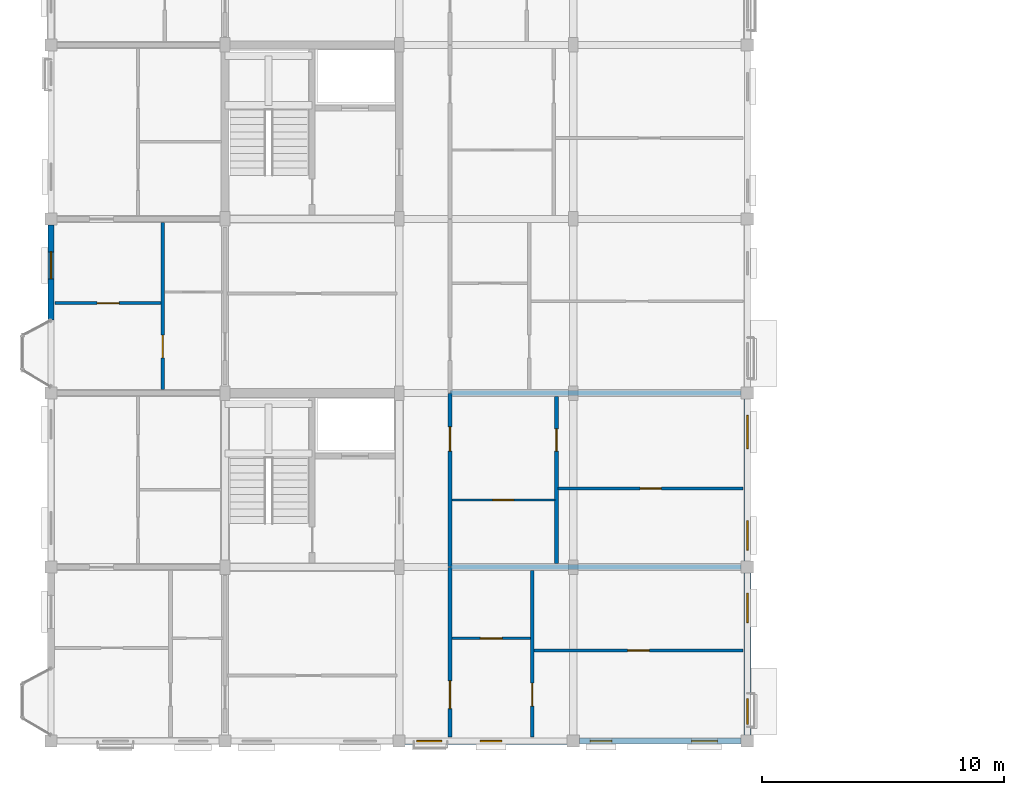
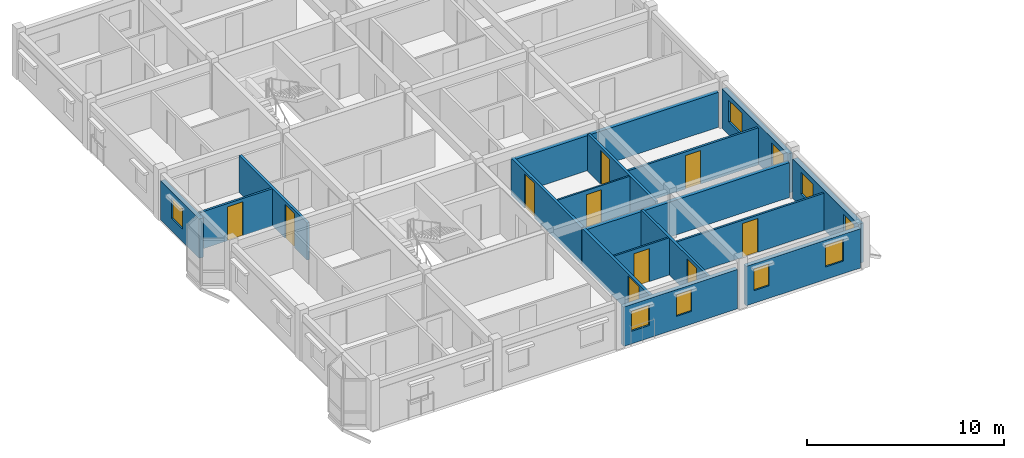
# One storey, part 17 of 38: 17 walls, 10 doors, 9 windows, 19 openings.
"""IFC4 building model written with IfcOpenShell, lengths in metres."""

import ifcopenshell
import ifcopenshell.guid

model = None  # the IFC model being written
_history = None  # IfcOwnerHistory: only IFC2X3 demands one
_inside = {}  # id of a spatial element -> (the spatial element, [elements in it])
_under = {}  # id of a project, library or spatial element -> (it, [spatial elements below it])
_declared = {}  # id of a project -> (the project, [libraries it declares])
_typed = {}  # id of a type object -> (the type object, [elements of that type])
_made_of = {}  # id of a material, layer set ... -> (it, [elements and type objects made of it])


def new_model(schema):
    """Start an empty IFC model of exactly this schema.

    Asked for "IFC4X3", IfcOpenShell would pick the latest addendum, in which some entities
    have other attributes; the version numbers below select the first issue.
    IFC2X3 requires an IfcOwnerHistory on every rooted entity: one is made here for all.
    """
    global model, _history
    if schema == "IFC4X3":
        model = ifcopenshell.file(schema_version=(4, 3, 0, 0))
    else:
        model = ifcopenshell.file(schema=schema)
    _inside.clear()
    _under.clear()
    _declared.clear()
    _typed.clear()
    _made_of.clear()
    _history = None
    if model.schema == "IFC2X3":
        org = make("IfcOrganization", Name="unknown")
        user = make(
            "IfcPersonAndOrganization",
            ThePerson=make("IfcPerson", FamilyName="unknown"),
            TheOrganization=org,
        )
        app = make(
            "IfcApplication",
            ApplicationDeveloper=org,
            Version="unknown",
            ApplicationFullName="unknown",
            ApplicationIdentifier="unknown",
        )
        _history = make(
            "IfcOwnerHistory",
            OwningUser=user,
            OwningApplication=app,
            ChangeAction="ADDED",
            CreationDate=0,
        )
    return model


def make(cls, **values):
    """One entity of the class cls with the attributes given. An attribute that is None is left unset."""
    return model.create_entity(
        cls, **{name: value for name, value in values.items() if value is not None}
    )


def rooted(cls, **values):
    """An entity with a GlobalId (a new one), such as an element, a storey or a relation."""
    return make(cls, GlobalId=ifcopenshell.guid.new(), OwnerHistory=_history, **values)


def si_unit(unit_type, name, prefix=None):
    """IfcSIUnit, for example si_unit("LENGTHUNIT", "METRE", prefix="MILLI")."""
    return make("IfcSIUnit", UnitType=unit_type, Prefix=prefix, Name=name)


def assignment(units):
    """IfcUnitAssignment: the units of a project."""
    return None if units is None else make("IfcUnitAssignment", Units=units)


def point(xyz):
    """IfcCartesianPoint."""
    return None if xyz is None else make("IfcCartesianPoint", Coordinates=xyz)


def direction(xyz):
    """IfcDirection."""
    return None if xyz is None else make("IfcDirection", DirectionRatios=xyz)


def frame(location, z_axis=None, x_axis=None):
    """IfcAxis2Placement3D, a coordinate frame: its origin and axes. An axis left out is left unset."""
    return make(
        "IfcAxis2Placement3D",
        Location=point(location),
        Axis=direction(z_axis),
        RefDirection=direction(x_axis),
    )


def frame_2d(location, x_axis=None):
    """IfcAxis2Placement2D, a coordinate frame in the plane: its origin and x axis."""
    return make(
        "IfcAxis2Placement2D", Location=point(location), RefDirection=direction(x_axis)
    )


def origin():
    """The frame at (0, 0, 0) with its axes left unset."""
    return frame((0.0, 0.0, 0.0))


def place(relative_to, where):
    """IfcLocalPlacement: puts the frame where relative to a parent placement (None: the world)."""
    return make(
        "IfcLocalPlacement", PlacementRelTo=relative_to, RelativePlacement=where
    )


def context(
    kind, dimensions, precision=None, world=None, true_north=None, identifier=None
):
    """IfcGeometricRepresentationContext, for example the 3D "Model" context."""
    return make(
        "IfcGeometricRepresentationContext",
        ContextIdentifier=identifier,
        ContextType=kind,
        CoordinateSpaceDimension=dimensions,
        Precision=precision,
        WorldCoordinateSystem=world,
        TrueNorth=true_north,
    )


def subcontext(parent, identifier, kind, view, scale=None):
    """IfcGeometricRepresentationSubContext, for example "Body" below "Model"."""
    return make(
        "IfcGeometricRepresentationSubContext",
        ContextIdentifier=identifier,
        ContextType=kind,
        ParentContext=parent,
        TargetScale=scale,
        TargetView=view,
    )


def project(units=None, contexts=None):
    """IfcProject with its units and contexts."""
    return rooted(
        "IfcProject",
        Name="project",
        RepresentationContexts=contexts,
        UnitsInContext=assignment(units),
    )


def spatial(cls, under=None, at=None, **own):
    """A site, building, storey or space (cls), placed at a placement, below another one or the project."""
    s = rooted(cls, ObjectPlacement=at, **own)
    if under is not None:
        _under.setdefault(under.id(), (under, []))[1].append(s)
    return s


def profile(cls, at=None, kind="AREA", **sizes):
    """A parametric profile (cls). Its sizes go by their IFC names, for example OverallWidth=200.0."""
    return make(cls, ProfileType=kind, Position=at, **sizes)


def rectangle(**sizes):
    """IfcRectangleProfileDef."""
    return profile("IfcRectangleProfileDef", **sizes)


def extrude(swept, where, along, depth):
    """IfcExtrudedAreaSolid: the profile swept, set in the frame where, extruded along a direction by depth."""
    return make(
        "IfcExtrudedAreaSolid",
        SweptArea=swept,
        Position=where,
        ExtrudedDirection=direction(along),
        Depth=depth,
    )


def shape(context_of_items, identifier, shape_type, items):
    """IfcShapeRepresentation: the items that make up one representation, for example the "Body"."""
    return make(
        "IfcShapeRepresentation",
        ContextOfItems=context_of_items,
        RepresentationIdentifier=identifier,
        RepresentationType=shape_type,
        Items=items,
    )


def material(Name=None, Category=None):
    """IfcMaterial."""
    return make("IfcMaterial", Name=Name, Category=Category)


def layer(
    of_material, thickness, ventilated=None, Name=None, Category=None, Priority=None
):
    """IfcMaterialLayer: one layer of a wall or slab, of a material (None: an air gap)."""
    return make(
        "IfcMaterialLayer",
        Material=of_material,
        LayerThickness=thickness,
        IsVentilated=ventilated,
        Name=Name,
        Category=Category,
        Priority=Priority,
    )


def layer_set(layers, Name=None):
    """IfcMaterialLayerSet."""
    return make("IfcMaterialLayerSet", MaterialLayers=layers, LayerSetName=Name)


def made_of(thing, what):
    """Note that an element or type object is made of a material, layer set ...; save() writes the relation."""
    if what is not None:
        _made_of.setdefault(what.id(), (what, []))[1].append(thing)
    return thing


def type_object(cls, material=None, **own):
    """A type object (cls), such as IfcWallType, which elements share."""
    return made_of(rooted(cls, **own), material)


def element(
    cls,
    number,
    at=None,
    inside=None,
    cuts=None,
    type_object=None,
    material=None,
    context=None,
    identifier="Body",
    shape_type=None,
    held_by="IfcProductDefinitionShape",
    body=None,
    shapes=None,
    **own,
):
    """One element of the class cls, such as IfcWall. Its Tag is "e" and its number.

    at: its placement. inside: the storey or other place that contains it. cuts: it is an
    opening in that element (IfcRelVoidsElement). A single representation is given by context,
    identifier, shape_type and body (its items); several are given by shapes. held_by: the class
    of the entity that holds the representations. save() writes the other relations.
    """
    e = rooted(cls, Tag="e%d" % number, ObjectPlacement=at, **own)
    if body is not None:
        shapes = [shape(context, identifier, shape_type, body)]
    if shapes is not None:
        e.Representation = make(held_by, Representations=shapes)
    if inside is not None:
        _inside.setdefault(inside.id(), (inside, []))[1].append(e)
    if cuts is not None:
        rooted(
            "IfcRelVoidsElement", RelatingBuildingElement=cuts, RelatedOpeningElement=e
        )
    if type_object is not None:
        _typed.setdefault(type_object.id(), (type_object, []))[1].append(e)
    return made_of(e, material)


def fill(opening, filler):
    """IfcRelFillsElement: the door or window that sits in an opening."""
    return rooted(
        "IfcRelFillsElement",
        RelatingOpeningElement=opening,
        RelatedBuildingElement=filler,
    )


def aggregate(whole, parts):
    """IfcRelAggregates: a whole, such as a stair, and the parts it consists of."""
    return rooted("IfcRelAggregates", RelatingObject=whole, RelatedObjects=parts)


def save(model, path):
    """Write the relations noted so far, then the file.

    IfcRelAggregates (storeys below a building ...), IfcRelContainedInSpatialStructure (elements
    in a storey), IfcRelDefinesByType, IfcRelAssociatesMaterial and IfcRelDeclares: one each for
    every whole, place, type object, material and project.
    """
    for whole, parts in _under.values():
        aggregate(whole, parts)
    for where, things in _inside.values():
        rooted(
            "IfcRelContainedInSpatialStructure",
            RelatedElements=things,
            RelatingStructure=where,
        )
    for kind, things in _typed.values():
        rooted("IfcRelDefinesByType", RelatedObjects=things, RelatingType=kind)
    for what, things in _made_of.values():
        rooted("IfcRelAssociatesMaterial", RelatedObjects=things, RelatingMaterial=what)
    for by, libraries in _declared.values():
        rooted("IfcRelDeclares", RelatingContext=by, RelatedDefinitions=libraries)
    model.write(path)


model = new_model("IFC4")

# Units and contexts
model_context = context("Model", 3, precision=1e-05, world=origin(), true_north=direction((0.0, 1.0)))
body_context = subcontext(model_context, "Body", "Model", "MODEL_VIEW")
ifc_project = project(units=[si_unit("LENGTHUNIT", "METRE"), si_unit("AREAUNIT", "SQUARE_METRE"), si_unit("VOLUMEUNIT", "CUBIC_METRE"), si_unit("PLANEANGLEUNIT", "RADIAN"), si_unit("MASSUNIT", "GRAM", prefix="KILO"), si_unit("THERMODYNAMICTEMPERATUREUNIT", "KELVIN"), si_unit("POWERUNIT", "WATT")], contexts=[model_context])

# Site, building, storey
site_placement = place(None, origin())
site = spatial("IfcSite", under=ifc_project, at=site_placement, CompositionType="ELEMENT")
building_placement = place(site_placement, origin())
building = spatial("IfcBuilding", under=site, at=building_placement, Name="Tavuni Mirador Residences", CompositionType="ELEMENT")
storey_placement = place(building_placement, frame((0.0, 0.0, 32.85009765625)))
storey = spatial("IfcBuildingStorey", under=building, at=storey_placement, Name="L10", CompositionType="ELEMENT", Elevation=32.85009765625)

# Wall, opening, door
ifc_material_1 = material(Name="Precast concrete C40/50", Category="concrete")
ifc_layer_1 = layer(ifc_material_1, 0.1650390625, Name="Precast concrete C40/50", Category="concrete")
ifc_layer_set_1 = layer_set([ifc_layer_1], Name="Precast concrete C40/50")
wall_type_1 = type_object("IfcWallType", Name="WT-CORR165", PredefinedType="PARTITIONING", material=ifc_layer_set_1)
wall_1_placement = place(storey_placement, frame((20.10009765625, 7.375, 0.0), z_axis=(0.0, 0.0, 1.0), x_axis=(0.0, 1.0, 0.0)))
wall_1 = element("IfcWall", 1, at=wall_1_placement, inside=storey, type_object=wall_type_1, Name="CORW-BLK-A-L10-0-00", PredefinedType="PARTITIONING", context=body_context, shape_type="SweptSolid", body=[
    extrude(rectangle(XDim=7.0048828125, YDim=0.1650390625, at=frame_2d((3.50244140625, 0.0))), origin(), (0.0, 0.0, 1.0), 2.304931640625),
])
opening_1_placement = place(wall_1_placement, frame((1.175048828125, 0.0, 0.0)))
opening_1 = element("IfcOpeningElement", 2, at=opening_1_placement, cuts=wall_1, Name="Opening D-20", PredefinedType="OPENING", context=body_context, shape_type="SweptSolid", body=[
    extrude(rectangle(XDim=1.139892578125, YDim=2.179931640625, at=frame_2d((0.56982421875, 1.08984375))), frame((0.0, 0.092529296875, 0.0), z_axis=(0.0, -1.0, 0.0), x_axis=(1.0, 0.0, 0.0)), (0.0, 0.0, 1.0), 0.18505859375),
])
ifc_material_2 = material(Name="Solid core iroko timber", Category="wood")
door_type_1 = type_object("IfcDoorType", Name="DT-FD60-1140", OperationType="NOTDEFINED", PredefinedType="DOOR", material=ifc_material_2)
door_1_placement = place(opening_1_placement, origin())
door_1 = element("IfcDoor", 3, at=door_1_placement, inside=storey, type_object=door_type_1, Name="DR-2477", OperationType="SINGLE_SWING_RIGHT", OverallHeight=2.179931640625, OverallWidth=1.139892578125, PredefinedType="DOOR", context=body_context, shape_type="SweptSolid", body=[
    extrude(rectangle(XDim=1.139892578125, YDim=2.179931640625, at=frame_2d((0.56982421875, 1.08984375))), frame((0.0, 0.02490234375, 0.0), z_axis=(0.0, -1.0, 0.0), x_axis=(1.0, 0.0, 0.0)), (0.0, 0.0, 1.0), 0.050048828125),
])
fill(opening_1, door_1)

wall_2_placement = place(storey_placement, frame((20.10009765625, 14.419921875, 0.0), z_axis=(0.0, 0.0, 1.0), x_axis=(0.0, 1.0, 0.0)))
wall_2 = element("IfcWall", 4, at=wall_2_placement, inside=storey, type_object=wall_type_1, Name="CORW-BLK-A-L10-0-01", PredefinedType="PARTITIONING", context=body_context, shape_type="SweptSolid", body=[
    extrude(rectangle(XDim=7.16015625, YDim=0.1650390625, at=frame_2d((3.580078125, 0.0))), origin(), (0.0, 0.0, 1.0), 2.304931640625),
])
opening_2_placement = place(wall_2_placement, frame((4.780029296875, 0.0, 0.0)))
opening_2 = element("IfcOpeningElement", 5, at=opening_2_placement, cuts=wall_2, Name="Opening D-03", PredefinedType="OPENING", context=body_context, shape_type="SweptSolid", body=[
    extrude(rectangle(XDim=1.0, YDim=2.14990234375, at=frame_2d((0.5, 1.074951171875))), frame((0.0, 0.092529296875, 0.0), z_axis=(0.0, -1.0, 0.0), x_axis=(1.0, 0.0, 0.0)), (0.0, 0.0, 1.0), 0.18505859375),
])
door_type_2 = type_object("IfcDoorType", Name="DT-FD60-1000", OperationType="NOTDEFINED", PredefinedType="DOOR", material=ifc_material_2)
door_2_placement = place(opening_2_placement, origin())
door_2 = element("IfcDoor", 6, at=door_2_placement, inside=storey, type_object=door_type_2, Name="DR-2478", OperationType="SINGLE_SWING_LEFT", OverallHeight=2.14990234375, OverallWidth=1.0, PredefinedType="DOOR", context=body_context, shape_type="SweptSolid", body=[
    extrude(rectangle(XDim=1.0, YDim=2.14990234375, at=frame_2d((0.5, 1.074951171875))), frame((0.0, 0.02490234375, 0.0), z_axis=(0.0, -1.0, 0.0), x_axis=(1.0, 0.0, 0.0)), (0.0, 0.0, 1.0), 0.050048828125),
])
fill(opening_2, door_2)

# Wall, openings, windows
ifc_material_3 = material(Name="Sgraffito lime-rendered precast concrete C40/50", Category="concrete")
ifc_layer_2 = layer(ifc_material_3, 0.2451171875, Name="Sgraffito lime-rendered precast concrete C40/50", Category="concrete")
ifc_layer_set_2 = layer_set([ifc_layer_2], Name="Sgraffito lime-rendered precast concrete C40/50")
wall_type_2 = type_object("IfcWallType", Name="WT-EXT-PC245", PredefinedType="SOLIDWALL", material=ifc_layer_set_2)
wall_3_placement = place(storey_placement, frame((25.449951171875, 7.199951171875, 0.0), z_axis=(0.0, 0.0, 1.0), x_axis=(1.0, 0.0, 0.0)))
wall_3 = element("IfcWall", 7, at=wall_3_placement, inside=storey, type_object=wall_type_2, Name="EW-BLK-A-L10-S03", PredefinedType="SOLIDWALL", context=body_context, shape_type="SweptSolid", body=[
    extrude(rectangle(XDim=6.699951171875, YDim=0.2451171875, at=frame_2d((3.35009765625, 0.0))), origin(), (0.0, 0.0, 1.0), 2.43994140625),
])
opening_3_placement = place(wall_3_placement, frame((0.449951171875, 0.0, 0.780029296875)))
opening_3 = element("IfcOpeningElement", 8, at=opening_3_placement, cuts=wall_3, Name="Opening WN-17", PredefinedType="OPENING", context=body_context, shape_type="SweptSolid", body=[
    extrude(rectangle(XDim=0.89990234375, YDim=1.360107421875, at=frame_2d((0.449951171875, 0.68017578125))), frame((0.0, 0.132568359375, 0.0), z_axis=(0.0, -1.0, 0.0), x_axis=(1.0, 0.0, 0.0)), (0.0, 0.0, 1.0), 0.26513671875),
])
opening_4_placement = place(wall_3_placement, frame((4.64990234375, 0.0, 0.780029296875)))
opening_4 = element("IfcOpeningElement", 9, at=opening_4_placement, cuts=wall_3, Name="Opening WN-19", PredefinedType="OPENING", context=body_context, shape_type="SweptSolid", body=[
    extrude(rectangle(XDim=1.06005859375, YDim=1.360107421875, at=frame_2d((0.530029296875, 0.68017578125))), frame((0.0, 0.132568359375, 0.0), z_axis=(0.0, -1.0, 0.0), x_axis=(1.0, 0.0, 0.0)), (0.0, 0.0, 1.0), 0.26513671875),
])
ifc_material_4 = material(Name="Laminated solar-control glass", Category="glass")
window_type_1 = type_object("IfcWindowType", Name="WNT-17", PartitioningType="SINGLE_PANEL", PredefinedType="WINDOW", material=ifc_material_4)
window_1_placement = place(opening_3_placement, origin())
window_1 = element("IfcWindow", 10, at=window_1_placement, inside=storey, type_object=window_type_1, Name="WIN-0366", OverallHeight=1.360107421875, OverallWidth=0.89990234375, PartitioningType="SINGLE_PANEL", PredefinedType="WINDOW", context=body_context, shape_type="SweptSolid", body=[
    extrude(rectangle(XDim=0.89990234375, YDim=1.360107421875, at=frame_2d((0.449951171875, 0.68017578125))), frame((0.0, 0.030029296875, 0.0), z_axis=(0.0, -1.0, 0.0), x_axis=(1.0, 0.0, 0.0)), (0.0, 0.0, 1.0), 0.06005859375),
])
fill(opening_3, window_1)
window_type_2 = type_object("IfcWindowType", Name="WNT-19", PartitioningType="SINGLE_PANEL", PredefinedType="WINDOW", material=ifc_material_4)
window_2_placement = place(opening_4_placement, origin())
window_2 = element("IfcWindow", 11, at=window_2_placement, inside=storey, type_object=window_type_2, Name="WIN-0367", OverallHeight=1.360107421875, OverallWidth=1.06005859375, PartitioningType="SINGLE_PANEL", PredefinedType="WINDOW", context=body_context, shape_type="SweptSolid", body=[
    extrude(rectangle(XDim=1.06005859375, YDim=1.360107421875, at=frame_2d((0.530029296875, 0.68017578125))), frame((0.0, 0.030029296875, 0.0), z_axis=(0.0, -1.0, 0.0), x_axis=(1.0, 0.0, 0.0)), (0.0, 0.0, 1.0), 0.06005859375),
])
fill(opening_4, window_2)

ifc_layer_3 = layer(ifc_material_3, 0.2548828125, Name="Sgraffito lime-rendered precast concrete C40/50", Category="concrete")
ifc_layer_set_3 = layer_set([ifc_layer_3], Name="Sgraffito lime-rendered precast concrete C40/50")
wall_type_3 = type_object("IfcWallType", Name="WT-EXT-PC255", PredefinedType="SOLIDWALL", material=ifc_layer_set_3)
wall_4_placement = place(storey_placement, frame((18.25, 7.199951171875, 0.0), z_axis=(0.0, 0.0, 1.0), x_axis=(1.0, 0.0, 0.0)))
wall_4 = element("IfcWall", 12, at=wall_4_placement, inside=storey, type_object=wall_type_3, Name="EW-BLK-A-L10-S02", PredefinedType="SOLIDWALL", context=body_context, shape_type="SweptSolid", body=[
    extrude(rectangle(XDim=6.699951171875, YDim=0.2548828125, at=frame_2d((3.35009765625, 0.0))), origin(), (0.0, 0.0, 1.0), 2.43994140625),
])
opening_5_placement = place(wall_4_placement, frame((0.47509765625, 0.0, 0.780029296875)))
opening_5 = element("IfcOpeningElement", 13, at=opening_5_placement, cuts=wall_4, Name="Opening WN-11", PredefinedType="OPENING", context=body_context, shape_type="SweptSolid", body=[
    extrude(rectangle(XDim=1.0400390625, YDim=1.260009765625, at=frame_2d((0.52001953125, 0.6298828125))), frame((0.0, 0.137451171875, 0.0), z_axis=(0.0, -1.0, 0.0), x_axis=(1.0, 0.0, 0.0)), (0.0, 0.0, 1.0), 0.27490234375),
])
opening_6_placement = place(wall_4_placement, frame((3.10009765625, 0.0, 0.780029296875)))
opening_6 = element("IfcOpeningElement", 14, at=opening_6_placement, cuts=wall_4, Name="Opening WN-17", PredefinedType="OPENING", context=body_context, shape_type="SweptSolid", body=[
    extrude(rectangle(XDim=0.89990234375, YDim=1.360107421875, at=frame_2d((0.449951171875, 0.68017578125))), frame((0.0, 0.137451171875, 0.0), z_axis=(0.0, -1.0, 0.0), x_axis=(1.0, 0.0, 0.0)), (0.0, 0.0, 1.0), 0.27490234375),
])
window_type_3 = type_object("IfcWindowType", Name="WNT-11", PartitioningType="SINGLE_PANEL", PredefinedType="WINDOW", material=ifc_material_4)
window_3_placement = place(opening_5_placement, origin())
window_3 = element("IfcWindow", 15, at=window_3_placement, inside=storey, type_object=window_type_3, Name="WIN-0364", OverallHeight=1.260009765625, OverallWidth=1.0400390625, PartitioningType="SINGLE_PANEL", PredefinedType="WINDOW", context=body_context, shape_type="SweptSolid", body=[
    extrude(rectangle(XDim=1.0400390625, YDim=1.260009765625, at=frame_2d((0.52001953125, 0.6298828125))), frame((0.0, 0.030029296875, 0.0), z_axis=(0.0, -1.0, 0.0), x_axis=(1.0, 0.0, 0.0)), (0.0, 0.0, 1.0), 0.06005859375),
])
fill(opening_5, window_3)
window_4_placement = place(opening_6_placement, origin())
window_4 = element("IfcWindow", 16, at=window_4_placement, inside=storey, type_object=window_type_1, Name="WIN-0365", OverallHeight=1.360107421875, OverallWidth=0.89990234375, PartitioningType="SINGLE_PANEL", PredefinedType="WINDOW", context=body_context, shape_type="SweptSolid", body=[
    extrude(rectangle(XDim=0.89990234375, YDim=1.360107421875, at=frame_2d((0.449951171875, 0.68017578125))), frame((0.0, 0.030029296875, 0.0), z_axis=(0.0, -1.0, 0.0), x_axis=(1.0, 0.0, 0.0)), (0.0, 0.0, 1.0), 0.06005859375),
])
fill(opening_6, window_4)

# Wall, opening, window
wall_5_placement = place(storey_placement, frame((3.60009765625, 28.550048828125, 0.0), z_axis=(0.0, 0.0, 1.0), x_axis=(0.0, -1.0, 0.0)))
wall_5 = element("IfcWall", 17, at=wall_5_placement, inside=storey, type_object=wall_type_3, Name="EW-BLK-A-L10-W02", PredefinedType="SOLIDWALL", context=body_context, shape_type="SweptSolid", body=[
    extrude(rectangle(XDim=3.929931640625, YDim=0.2548828125, at=frame_2d((1.96484375, 0.0))), origin(), (0.0, 0.0, 1.0), 2.43994140625),
])
opening_7_placement = place(wall_5_placement, frame((1.110107421875, 0.0, 0.780029296875)))
opening_7 = element("IfcOpeningElement", 18, at=opening_7_placement, cuts=wall_5, Name="Opening WN-12", PredefinedType="OPENING", context=body_context, shape_type="SweptSolid", body=[
    extrude(rectangle(XDim=1.1201171875, YDim=1.260009765625, at=frame_2d((0.56005859375, 0.6298828125))), frame((0.0, 0.137451171875, 0.0), z_axis=(0.0, -1.0, 0.0), x_axis=(1.0, 0.0, 0.0)), (0.0, 0.0, 1.0), 0.27490234375),
])
window_type_4 = type_object("IfcWindowType", Name="WNT-12", PartitioningType="SINGLE_PANEL", PredefinedType="WINDOW", material=ifc_material_4)
window_5_placement = place(opening_7_placement, origin())
window_5 = element("IfcWindow", 19, at=window_5_placement, inside=storey, type_object=window_type_4, Name="WIN-0391", OverallHeight=1.260009765625, OverallWidth=1.1201171875, PartitioningType="SINGLE_PANEL", PredefinedType="WINDOW", context=body_context, shape_type="SweptSolid", body=[
    extrude(rectangle(XDim=1.1201171875, YDim=1.260009765625, at=frame_2d((0.56005859375, 0.6298828125))), frame((0.0, 0.030029296875, 0.0), z_axis=(0.0, -1.0, 0.0), x_axis=(1.0, 0.0, 0.0)), (0.0, 0.0, 1.0), 0.06005859375),
])
fill(opening_7, window_5)

# Wall, openings, windows
ifc_layer_4 = layer(ifc_material_3, 0.27490234375, Name="Sgraffito lime-rendered precast concrete C40/50", Category="concrete")
ifc_layer_set_4 = layer_set([ifc_layer_4], Name="Sgraffito lime-rendered precast concrete C40/50")
wall_type_4 = type_object("IfcWallType", Name="WT-EXT-PC275", PredefinedType="SOLIDWALL", material=ifc_layer_set_4)
wall_6_placement = place(storey_placement, frame((32.39990234375, 14.64990234375, 0.0), z_axis=(0.0, 0.0, 1.0), x_axis=(0.0, 1.0, 0.0)))
wall_6 = element("IfcWall", 20, at=wall_6_placement, inside=storey, type_object=wall_type_4, Name="EW-BLK-A-L10-E01", PredefinedType="SOLIDWALL", context=body_context, shape_type="SweptSolid", body=[
    extrude(rectangle(XDim=6.7001953125, YDim=0.27490234375, at=frame_2d((3.35009765625, 0.0))), origin(), (0.0, 0.0, 1.0), 2.43994140625),
])
opening_8_placement = place(wall_6_placement, frame((0.449951171875, 0.0, 0.780029296875)))
opening_8 = element("IfcOpeningElement", 21, at=opening_8_placement, cuts=wall_6, Name="Opening WN-21", PredefinedType="OPENING", context=body_context, shape_type="SweptSolid", body=[
    extrude(rectangle(XDim=1.219970703125, YDim=1.360107421875, at=frame_2d((0.60986328125, 0.68017578125))), frame((0.0, 0.1474609375, 0.0), z_axis=(0.0, -1.0, 0.0), x_axis=(1.0, 0.0, 0.0)), (0.0, 0.0, 1.0), 0.294921875),
])
opening_9_placement = place(wall_6_placement, frame((4.64990234375, 0.0, 0.780029296875)))
opening_9 = element("IfcOpeningElement", 22, at=opening_9_placement, cuts=wall_6, Name="Opening WN-23", PredefinedType="OPENING", context=body_context, shape_type="SweptSolid", body=[
    extrude(rectangle(XDim=1.3798828125, YDim=1.360107421875, at=frame_2d((0.68994140625, 0.68017578125))), frame((0.0, 0.1474609375, 0.0), z_axis=(0.0, -1.0, 0.0), x_axis=(1.0, 0.0, 0.0)), (0.0, 0.0, 1.0), 0.294921875),
])
window_type_5 = type_object("IfcWindowType", Name="WNT-21", PartitioningType="SINGLE_PANEL", PredefinedType="WINDOW", material=ifc_material_4)
window_6_placement = place(opening_8_placement, origin())
window_6 = element("IfcWindow", 23, at=window_6_placement, inside=storey, type_object=window_type_5, Name="WIN-0370", OverallHeight=1.360107421875, OverallWidth=1.219970703125, PartitioningType="SINGLE_PANEL", PredefinedType="WINDOW", context=body_context, shape_type="SweptSolid", body=[
    extrude(rectangle(XDim=1.219970703125, YDim=1.360107421875, at=frame_2d((0.60986328125, 0.68017578125))), frame((0.0, 0.030029296875, 0.0), z_axis=(0.0, -1.0, 0.0), x_axis=(1.0, 0.0, 0.0)), (0.0, 0.0, 1.0), 0.06005859375),
])
fill(opening_8, window_6)
window_type_6 = type_object("IfcWindowType", Name="WNT-23", PartitioningType="SINGLE_PANEL", PredefinedType="WINDOW", material=ifc_material_4)
window_7_placement = place(opening_9_placement, origin())
window_7 = element("IfcWindow", 24, at=window_7_placement, inside=storey, type_object=window_type_6, Name="WIN-0371", OverallHeight=1.360107421875, OverallWidth=1.3798828125, PartitioningType="SINGLE_PANEL", PredefinedType="WINDOW", context=body_context, shape_type="SweptSolid", body=[
    extrude(rectangle(XDim=1.3798828125, YDim=1.360107421875, at=frame_2d((0.68994140625, 0.68017578125))), frame((0.0, 0.030029296875, 0.0), z_axis=(0.0, -1.0, 0.0), x_axis=(1.0, 0.0, 0.0)), (0.0, 0.0, 1.0), 0.06005859375),
])
fill(opening_9, window_7)

ifc_layer_5 = layer(ifc_material_3, 0.2900390625, Name="Sgraffito lime-rendered precast concrete C40/50", Category="concrete")
ifc_layer_set_5 = layer_set([ifc_layer_5], Name="Sgraffito lime-rendered precast concrete C40/50")
wall_type_5 = type_object("IfcWallType", Name="WT-EXT-PC290", PredefinedType="SOLIDWALL", material=ifc_layer_set_5)
wall_7_placement = place(storey_placement, frame((32.39990234375, 7.449951171875, 0.0), z_axis=(0.0, 0.0, 1.0), x_axis=(0.0, 1.0, 0.0)))
wall_7 = element("IfcWall", 25, at=wall_7_placement, inside=storey, type_object=wall_type_5, Name="EW-BLK-A-L10-E00", PredefinedType="SOLIDWALL", context=body_context, shape_type="SweptSolid", body=[
    extrude(rectangle(XDim=6.699951171875, YDim=0.2900390625, at=frame_2d((3.35009765625, 0.0))), origin(), (0.0, 0.0, 1.0), 2.43994140625),
])
opening_10_placement = place(wall_7_placement, frame((0.449951171875, 0.0, 0.780029296875)))
opening_10 = element("IfcOpeningElement", 26, at=opening_10_placement, cuts=wall_7, Name="Opening WN-19", PredefinedType="OPENING", context=body_context, shape_type="SweptSolid", body=[
    extrude(rectangle(XDim=1.06005859375, YDim=1.360107421875, at=frame_2d((0.530029296875, 0.68017578125))), frame((0.0, 0.155029296875, 0.0), z_axis=(0.0, -1.0, 0.0), x_axis=(1.0, 0.0, 0.0)), (0.0, 0.0, 1.0), 0.31005859375),
])
opening_11_placement = place(wall_7_placement, frame((4.64990234375, 0.0, 0.780029296875)))
opening_11 = element("IfcOpeningElement", 27, at=opening_11_placement, cuts=wall_7, Name="Opening WN-21", PredefinedType="OPENING", context=body_context, shape_type="SweptSolid", body=[
    extrude(rectangle(XDim=1.219970703125, YDim=1.360107421875, at=frame_2d((0.60986328125, 0.68017578125))), frame((0.0, 0.155029296875, 0.0), z_axis=(0.0, -1.0, 0.0), x_axis=(1.0, 0.0, 0.0)), (0.0, 0.0, 1.0), 0.31005859375),
])
window_8_placement = place(opening_10_placement, origin())
window_8 = element("IfcWindow", 28, at=window_8_placement, inside=storey, type_object=window_type_2, Name="WIN-0368", OverallHeight=1.360107421875, OverallWidth=1.06005859375, PartitioningType="SINGLE_PANEL", PredefinedType="WINDOW", context=body_context, shape_type="SweptSolid", body=[
    extrude(rectangle(XDim=1.06005859375, YDim=1.360107421875, at=frame_2d((0.530029296875, 0.68017578125))), frame((0.0, 0.030029296875, 0.0), z_axis=(0.0, -1.0, 0.0), x_axis=(1.0, 0.0, 0.0)), (0.0, 0.0, 1.0), 0.06005859375),
])
fill(opening_10, window_8)
window_9_placement = place(opening_11_placement, origin())
window_9 = element("IfcWindow", 29, at=window_9_placement, inside=storey, type_object=window_type_5, Name="WIN-0369", OverallHeight=1.360107421875, OverallWidth=1.219970703125, PartitioningType="SINGLE_PANEL", PredefinedType="WINDOW", context=body_context, shape_type="SweptSolid", body=[
    extrude(rectangle(XDim=1.219970703125, YDim=1.360107421875, at=frame_2d((0.60986328125, 0.68017578125))), frame((0.0, 0.030029296875, 0.0), z_axis=(0.0, -1.0, 0.0), x_axis=(1.0, 0.0, 0.0)), (0.0, 0.0, 1.0), 0.06005859375),
])
fill(opening_11, window_9)

# Wall, opening, door
ifc_material_5 = material(Name="Acoustic gypsum and concrete block partition", Category="concrete")
ifc_layer_6 = layer(ifc_material_5, 0.094970703125, Name="Acoustic gypsum and concrete block partition", Category="concrete")
ifc_layer_set_6 = layer_set([ifc_layer_6], Name="Acoustic gypsum and concrete block partition")
wall_type_6 = type_object("IfcWallType", Name="WT-PART095", PredefinedType="PARTITIONING", material=ifc_layer_set_6)
wall_8_placement = place(storey_placement, frame((20.18994140625, 17.179931640625, 0.0), z_axis=(0.0, 0.0, 1.0), x_axis=(1.0, 0.0, 0.0)))
wall_8 = element("IfcWall", 30, at=wall_8_placement, inside=storey, type_object=wall_type_6, Name="PW-BLK-A-L10-E01-IN1", PredefinedType="PARTITIONING", context=body_context, shape_type="SweptSolid", body=[
    extrude(rectangle(XDim=4.25, YDim=0.094970703125, at=frame_2d((2.125, 0.0))), origin(), (0.0, 0.0, 1.0), 2.304931640625),
])
opening_12_placement = place(wall_8_placement, frame((1.68994140625, 0.0, 0.0)))
opening_12 = element("IfcOpeningElement", 31, at=opening_12_placement, cuts=wall_8, Name="Opening D-10", PredefinedType="OPENING", context=body_context, shape_type="SweptSolid", body=[
    extrude(rectangle(XDim=0.8701171875, YDim=2.050048828125, at=frame_2d((0.43505859375, 1.02490234375))), frame((0.0, 0.0576171875, 0.0), z_axis=(0.0, -1.0, 0.0), x_axis=(1.0, 0.0, 0.0)), (0.0, 0.0, 1.0), 0.114990234375),
])
door_type_3 = type_object("IfcDoorType", Name="DT-WC870", OperationType="NOTDEFINED", PredefinedType="DOOR", material=ifc_material_2)
door_3_placement = place(opening_12_placement, origin())
door_3 = element("IfcDoor", 32, at=door_3_placement, inside=storey, type_object=door_type_3, Name="DR-3266", OperationType="SINGLE_SWING_LEFT", OverallHeight=2.050048828125, OverallWidth=0.8701171875, PredefinedType="DOOR", context=body_context, shape_type="SweptSolid", body=[
    extrude(rectangle(XDim=0.8701171875, YDim=2.050048828125, at=frame_2d((0.43505859375, 1.02490234375))), frame((0.0, 0.02490234375, 0.0), z_axis=(0.0, -1.0, 0.0), x_axis=(1.0, 0.0, 0.0)), (0.0, 0.0, 1.0), 0.050048828125),
])
fill(opening_12, door_3)

ifc_layer_7 = layer(ifc_material_5, 0.10498046875, Name="Acoustic gypsum and concrete block partition", Category="concrete")
ifc_layer_set_7 = layer_set([ifc_layer_7], Name="Acoustic gypsum and concrete block partition")
wall_type_7 = type_object("IfcWallType", Name="WT-PART105", PredefinedType="PARTITIONING", material=ifc_layer_set_7)
wall_9_placement = place(storey_placement, frame((20.18994140625, 11.449951171875, 0.0), z_axis=(0.0, 0.0, 1.0), x_axis=(1.0, 0.0, 0.0)))
wall_9 = element("IfcWall", 33, at=wall_9_placement, inside=storey, type_object=wall_type_7, Name="PW-BLK-A-L10-E00-IN1", PredefinedType="PARTITIONING", context=body_context, shape_type="SweptSolid", body=[
    extrude(rectangle(XDim=3.239990234375, YDim=0.10498046875, at=frame_2d((1.6201171875, 0.0))), origin(), (0.0, 0.0, 1.0), 2.304931640625),
])
opening_13_placement = place(wall_9_placement, frame((1.169921875, 0.0, 0.0)))
opening_13 = element("IfcOpeningElement", 34, at=opening_13_placement, cuts=wall_9, Name="Opening D-09", PredefinedType="OPENING", context=body_context, shape_type="SweptSolid", body=[
    extrude(rectangle(XDim=0.89990234375, YDim=2.050048828125, at=frame_2d((0.449951171875, 1.02490234375))), frame((0.0, 0.0625, 0.0), z_axis=(0.0, -1.0, 0.0), x_axis=(1.0, 0.0, 0.0)), (0.0, 0.0, 1.0), 0.125),
])
door_type_4 = type_object("IfcDoorType", Name="DT-WC900", OperationType="NOTDEFINED", PredefinedType="DOOR", material=ifc_material_2)
door_4_placement = place(opening_13_placement, origin())
door_4 = element("IfcDoor", 35, at=door_4_placement, inside=storey, type_object=door_type_4, Name="DR-3261", OperationType="SINGLE_SWING_RIGHT", OverallHeight=2.050048828125, OverallWidth=0.89990234375, PredefinedType="DOOR", context=body_context, shape_type="SweptSolid", body=[
    extrude(rectangle(XDim=0.89990234375, YDim=2.050048828125, at=frame_2d((0.449951171875, 1.02490234375))), frame((0.0, 0.02490234375, 0.0), z_axis=(0.0, -1.0, 0.0), x_axis=(1.0, 0.0, 0.0)), (0.0, 0.0, 1.0), 0.050048828125),
])
fill(opening_13, door_4)

ifc_layer_8 = layer(ifc_material_5, 0.114990234375, Name="Acoustic gypsum and concrete block partition", Category="concrete")
ifc_layer_set_8 = layer_set([ifc_layer_8], Name="Acoustic gypsum and concrete block partition")
wall_type_8 = type_object("IfcWallType", Name="WT-PART115", PredefinedType="PARTITIONING", material=ifc_layer_set_8)
wall_10_placement = place(storey_placement, frame((23.570068359375, 10.949951171875, 0.0), z_axis=(0.0, 0.0, 1.0), x_axis=(1.0, 0.0, 0.0)))
wall_10 = element("IfcWall", 36, at=wall_10_placement, inside=storey, type_object=wall_type_8, Name="PW-BLK-A-L10-E00-OUT", PredefinedType="PARTITIONING", context=body_context, shape_type="SweptSolid", body=[
    extrude(rectangle(XDim=8.655029296875, YDim=0.114990234375, at=frame_2d((4.32763671875, 0.0))), origin(), (0.0, 0.0, 1.0), 2.304931640625),
])
opening_14_placement = place(wall_10_placement, frame((3.87744140625, 0.0, 0.0)))
opening_14 = element("IfcOpeningElement", 37, at=opening_14_placement, cuts=wall_10, Name="Opening D-07", PredefinedType="OPENING", context=body_context, shape_type="SweptSolid", body=[
    extrude(rectangle(XDim=0.89990234375, YDim=2.10009765625, at=frame_2d((0.449951171875, 1.050048828125))), frame((0.0, 0.0673828125, 0.0), z_axis=(0.0, -1.0, 0.0), x_axis=(1.0, 0.0, 0.0)), (0.0, 0.0, 1.0), 0.135009765625),
])
door_type_5 = type_object("IfcDoorType", Name="DT-BED900", OperationType="NOTDEFINED", PredefinedType="DOOR", material=ifc_material_2)
door_5_placement = place(opening_14_placement, origin())
door_5 = element("IfcDoor", 38, at=door_5_placement, inside=storey, type_object=door_type_5, Name="DR-3260", OperationType="SINGLE_SWING_LEFT", OverallHeight=2.10009765625, OverallWidth=0.89990234375, PredefinedType="DOOR", context=body_context, shape_type="SweptSolid", body=[
    extrude(rectangle(XDim=0.89990234375, YDim=2.10009765625, at=frame_2d((0.449951171875, 1.050048828125))), frame((0.0, 0.02490234375, 0.0), z_axis=(0.0, -1.0, 0.0), x_axis=(1.0, 0.0, 0.0)), (0.0, 0.0, 1.0), 0.050048828125),
])
fill(opening_14, door_5)

ifc_layer_9 = layer(ifc_material_5, 0.125, Name="Acoustic gypsum and concrete block partition", Category="concrete")
ifc_layer_set_9 = layer_set([ifc_layer_9], Name="Acoustic gypsum and concrete block partition")
wall_type_9 = type_object("IfcWallType", Name="WT-PART125", PredefinedType="PARTITIONING", material=ifc_layer_set_9)
wall_11_placement = place(storey_placement, frame((24.580078125, 17.64990234375, 0.0), z_axis=(0.0, 0.0, 1.0), x_axis=(1.0, 0.0, 0.0)))
wall_11 = element("IfcWall", 39, at=wall_11_placement, inside=storey, type_object=wall_type_9, Name="PW-BLK-A-L10-E01-OUT", PredefinedType="PARTITIONING", context=body_context, shape_type="SweptSolid", body=[
    extrude(rectangle(XDim=7.64501953125, YDim=0.125, at=frame_2d((3.822509765625, 0.0))), origin(), (0.0, 0.0, 1.0), 2.304931640625),
])
opening_15_placement = place(wall_11_placement, frame((3.382568359375, 0.0, 0.0)))
opening_15 = element("IfcOpeningElement", 40, at=opening_15_placement, cuts=wall_11, Name="Opening D-08", PredefinedType="OPENING", context=body_context, shape_type="SweptSolid", body=[
    extrude(rectangle(XDim=0.8798828125, YDim=2.080078125, at=frame_2d((0.43994140625, 1.0400390625))), frame((0.0, 0.072509765625, 0.0), z_axis=(0.0, -1.0, 0.0), x_axis=(1.0, 0.0, 0.0)), (0.0, 0.0, 1.0), 0.14501953125),
])
door_type_6 = type_object("IfcDoorType", Name="DT-BED880", OperationType="NOTDEFINED", PredefinedType="DOOR", material=ifc_material_2)
door_6_placement = place(opening_15_placement, origin())
door_6 = element("IfcDoor", 41, at=door_6_placement, inside=storey, type_object=door_type_6, Name="DR-3265", OperationType="SINGLE_SWING_RIGHT", OverallHeight=2.080078125, OverallWidth=0.8798828125, PredefinedType="DOOR", context=body_context, shape_type="SweptSolid", body=[
    extrude(rectangle(XDim=0.8798828125, YDim=2.080078125, at=frame_2d((0.43994140625, 1.0400390625))), frame((0.0, 0.02490234375, 0.0), z_axis=(0.0, -1.0, 0.0), x_axis=(1.0, 0.0, 0.0)), (0.0, 0.0, 1.0), 0.050048828125),
])
fill(opening_15, door_6)

wall_12_placement = place(storey_placement, frame((3.77490234375, 25.320068359375, 0.0), z_axis=(0.0, 0.0, 1.0), x_axis=(1.0, 0.0, 0.0)))
wall_12 = element("IfcWall", 42, at=wall_12_placement, inside=storey, type_object=wall_type_9, Name="PW-BLK-A-L10-W02-OUT", PredefinedType="PARTITIONING", context=body_context, shape_type="SweptSolid", body=[
    extrude(rectangle(XDim=4.375, YDim=0.125, at=frame_2d((2.1875, 0.0))), origin(), (0.0, 0.0, 1.0), 2.304931640625),
])
opening_16_placement = place(wall_12_placement, frame((1.737548828125, 0.0, 0.0)))
opening_16 = element("IfcOpeningElement", 43, at=opening_16_placement, cuts=wall_12, Name="Opening D-07", PredefinedType="OPENING", context=body_context, shape_type="SweptSolid", body=[
    extrude(rectangle(XDim=0.89990234375, YDim=2.10009765625, at=frame_2d((0.449951171875, 1.050048828125))), frame((0.0, 0.072509765625, 0.0), z_axis=(0.0, -1.0, 0.0), x_axis=(1.0, 0.0, 0.0)), (0.0, 0.0, 1.0), 0.14501953125),
])
door_7_placement = place(opening_16_placement, origin())
door_7 = element("IfcDoor", 44, at=door_7_placement, inside=storey, type_object=door_type_5, Name="DR-3269", OperationType="SINGLE_SWING_LEFT", OverallHeight=2.10009765625, OverallWidth=0.89990234375, PredefinedType="DOOR", context=body_context, shape_type="SweptSolid", body=[
    extrude(rectangle(XDim=0.89990234375, YDim=2.10009765625, at=frame_2d((0.449951171875, 1.050048828125))), frame((0.0, 0.02490234375, 0.0), z_axis=(0.0, -1.0, 0.0), x_axis=(1.0, 0.0, 0.0)), (0.0, 0.0, 1.0), 0.050048828125),
])
fill(opening_16, door_7)

ifc_layer_10 = layer(ifc_material_5, 0.139892578125, Name="Acoustic gypsum and concrete block partition", Category="concrete")
ifc_layer_set_10 = layer_set([ifc_layer_10], Name="Acoustic gypsum and concrete block partition")
wall_type_10 = type_object("IfcWallType", Name="WT-PART140", PredefinedType="PARTITIONING", material=ifc_layer_set_10)
wall_13_placement = place(storey_placement, frame((23.5, 7.375, 0.0), z_axis=(0.0, 0.0, 1.0), x_axis=(0.0, 1.0, 0.0)))
wall_13 = element("IfcWall", 45, at=wall_13_placement, inside=storey, type_object=wall_type_10, Name="PW-BLK-A-L10-E00-MID", PredefinedType="PARTITIONING", context=body_context, shape_type="SweptSolid", body=[
    extrude(rectangle(XDim=6.885009765625, YDim=0.139892578125, at=frame_2d((3.4423828125, 0.0))), origin(), (0.0, 0.0, 1.0), 2.304931640625),
])
opening_17_placement = place(wall_13_placement, frame((1.27490234375, 0.0, 0.0)))
opening_17 = element("IfcOpeningElement", 46, at=opening_17_placement, cuts=wall_13, Name="Opening D-05", PredefinedType="OPENING", context=body_context, shape_type="SweptSolid", body=[
    extrude(rectangle(XDim=0.949951171875, YDim=2.10009765625, at=frame_2d((0.47509765625, 1.050048828125))), frame((0.0, 0.080078125, 0.0), z_axis=(0.0, -1.0, 0.0), x_axis=(1.0, 0.0, 0.0)), (0.0, 0.0, 1.0), 0.159912109375),
])
door_type_7 = type_object("IfcDoorType", Name="DT-INT950", OperationType="NOTDEFINED", PredefinedType="DOOR", material=ifc_material_2)
door_8_placement = place(opening_17_placement, origin())
door_8 = element("IfcDoor", 47, at=door_8_placement, inside=storey, type_object=door_type_7, Name="DR-3262", OperationType="SINGLE_SWING_LEFT", OverallHeight=2.10009765625, OverallWidth=0.949951171875, PredefinedType="DOOR", context=body_context, shape_type="SweptSolid", body=[
    extrude(rectangle(XDim=0.949951171875, YDim=2.10009765625, at=frame_2d((0.47509765625, 1.050048828125))), frame((0.0, 0.02490234375, 0.0), z_axis=(0.0, -1.0, 0.0), x_axis=(1.0, 0.0, 0.0)), (0.0, 0.0, 1.0), 0.050048828125),
])
fill(opening_17, door_8)

ifc_layer_11 = layer(ifc_material_5, 0.14990234375, Name="Acoustic gypsum and concrete block partition", Category="concrete")
ifc_layer_set_11 = layer_set([ifc_layer_11], Name="Acoustic gypsum and concrete block partition")
wall_type_11 = type_object("IfcWallType", Name="WT-PART150", PredefinedType="PARTITIONING", material=ifc_layer_set_11)
wall_14_placement = place(storey_placement, frame((24.510009765625, 14.5400390625, 0.0), z_axis=(0.0, 0.0, 1.0), x_axis=(0.0, 1.0, 0.0)))
wall_14 = element("IfcWall", 48, at=wall_14_placement, inside=storey, type_object=wall_type_11, Name="PW-BLK-A-L10-E01-MID", PredefinedType="PARTITIONING", context=body_context, shape_type="SweptSolid", body=[
    extrude(rectangle(XDim=6.919921875, YDim=0.14990234375, at=frame_2d((3.4599609375, 0.0))), origin(), (0.0, 0.0, 1.0), 2.304931640625),
])
opening_18_placement = place(wall_14_placement, frame((4.659912109375, 0.0, 0.0)))
opening_18 = element("IfcOpeningElement", 49, at=opening_18_placement, cuts=wall_14, Name="Opening D-06", PredefinedType="OPENING", context=body_context, shape_type="SweptSolid", body=[
    extrude(rectangle(XDim=0.919921875, YDim=2.10009765625, at=frame_2d((0.4599609375, 1.050048828125))), frame((0.0, 0.0849609375, 0.0), z_axis=(0.0, -1.0, 0.0), x_axis=(1.0, 0.0, 0.0)), (0.0, 0.0, 1.0), 0.169921875),
])
door_type_8 = type_object("IfcDoorType", Name="DT-INT920", OperationType="NOTDEFINED", PredefinedType="DOOR", material=ifc_material_2)
door_9_placement = place(opening_18_placement, origin())
door_9 = element("IfcDoor", 50, at=door_9_placement, inside=storey, type_object=door_type_8, Name="DR-3267", OperationType="SINGLE_SWING_RIGHT", OverallHeight=2.10009765625, OverallWidth=0.919921875, PredefinedType="DOOR", context=body_context, shape_type="SweptSolid", body=[
    extrude(rectangle(XDim=0.919921875, YDim=2.10009765625, at=frame_2d((0.4599609375, 1.050048828125))), frame((0.0, 0.02490234375, 0.0), z_axis=(0.0, -1.0, 0.0), x_axis=(1.0, 0.0, 0.0)), (0.0, 0.0, 1.0), 0.050048828125),
])
fill(opening_18, door_9)

wall_15_placement = place(storey_placement, frame((8.219970703125, 21.739990234375, 0.0), z_axis=(0.0, 0.0, 1.0), x_axis=(0.0, 1.0, 0.0)))
wall_15 = element("IfcWall", 51, at=wall_15_placement, inside=storey, type_object=wall_type_11, Name="PW-BLK-A-L10-W02-MID", PredefinedType="PARTITIONING", context=body_context, shape_type="SweptSolid", body=[
    extrude(rectangle(XDim=6.919921875, YDim=0.14990234375, at=frame_2d((3.4599609375, 0.0))), origin(), (0.0, 0.0, 1.0), 2.304931640625),
])
opening_19_placement = place(wall_15_placement, frame((1.31005859375, 0.0, 0.0)))
opening_19 = element("IfcOpeningElement", 52, at=opening_19_placement, cuts=wall_15, Name="Opening D-05", PredefinedType="OPENING", context=body_context, shape_type="SweptSolid", body=[
    extrude(rectangle(XDim=0.949951171875, YDim=2.10009765625, at=frame_2d((0.47509765625, 1.050048828125))), frame((0.0, 0.0849609375, 0.0), z_axis=(0.0, -1.0, 0.0), x_axis=(1.0, 0.0, 0.0)), (0.0, 0.0, 1.0), 0.169921875),
])
door_10_placement = place(opening_19_placement, origin())
door_10 = element("IfcDoor", 53, at=door_10_placement, inside=storey, type_object=door_type_7, Name="DR-3271", OperationType="SINGLE_SWING_LEFT", OverallHeight=2.10009765625, OverallWidth=0.949951171875, PredefinedType="DOOR", context=body_context, shape_type="SweptSolid", body=[
    extrude(rectangle(XDim=0.949951171875, YDim=2.10009765625, at=frame_2d((0.47509765625, 1.050048828125))), frame((0.0, 0.02490234375, 0.0), z_axis=(0.0, -1.0, 0.0), x_axis=(1.0, 0.0, 0.0)), (0.0, 0.0, 1.0), 0.050048828125),
])
fill(opening_19, door_10)

# Walls
ifc_layer_12 = layer(ifc_material_1, 0.215087890625, Name="Precast concrete C40/50", Category="concrete")
ifc_layer_set_12 = layer_set([ifc_layer_12], Name="Precast concrete C40/50")
wall_type_12 = type_object("IfcWallType", Name="WT-XW215", PredefinedType="SOLIDWALL", material=ifc_layer_set_12)
for number, where, z_axis, x_axis, name in (
    (54, (20.10009765625, 14.39990234375, 0.0), (0.0, 0.0, 1.0), (1.0, 0.0, 0.0), "XW-BLK-A-L10-E-01"),
    (55, (20.10009765625, 21.60009765625, 0.0), (0.0, 0.0, 1.0), (1.0, 0.0, 0.0), "XW-BLK-A-L10-E-02"),
):
    element("IfcWall", number, at=place(storey_placement, frame(where, z_axis=z_axis, x_axis=x_axis)), inside=storey, type_object=wall_type_12, Name=name, PredefinedType="SOLIDWALL", context=body_context, shape_type="SweptSolid", body=[
        extrude(rectangle(XDim=12.0498046875, YDim=0.215087890625, at=frame_2d((6.02490234375, 0.0))), origin(), (0.0, 0.0, 1.0), 2.169921875),
    ])

save(model, "model.ifc")
